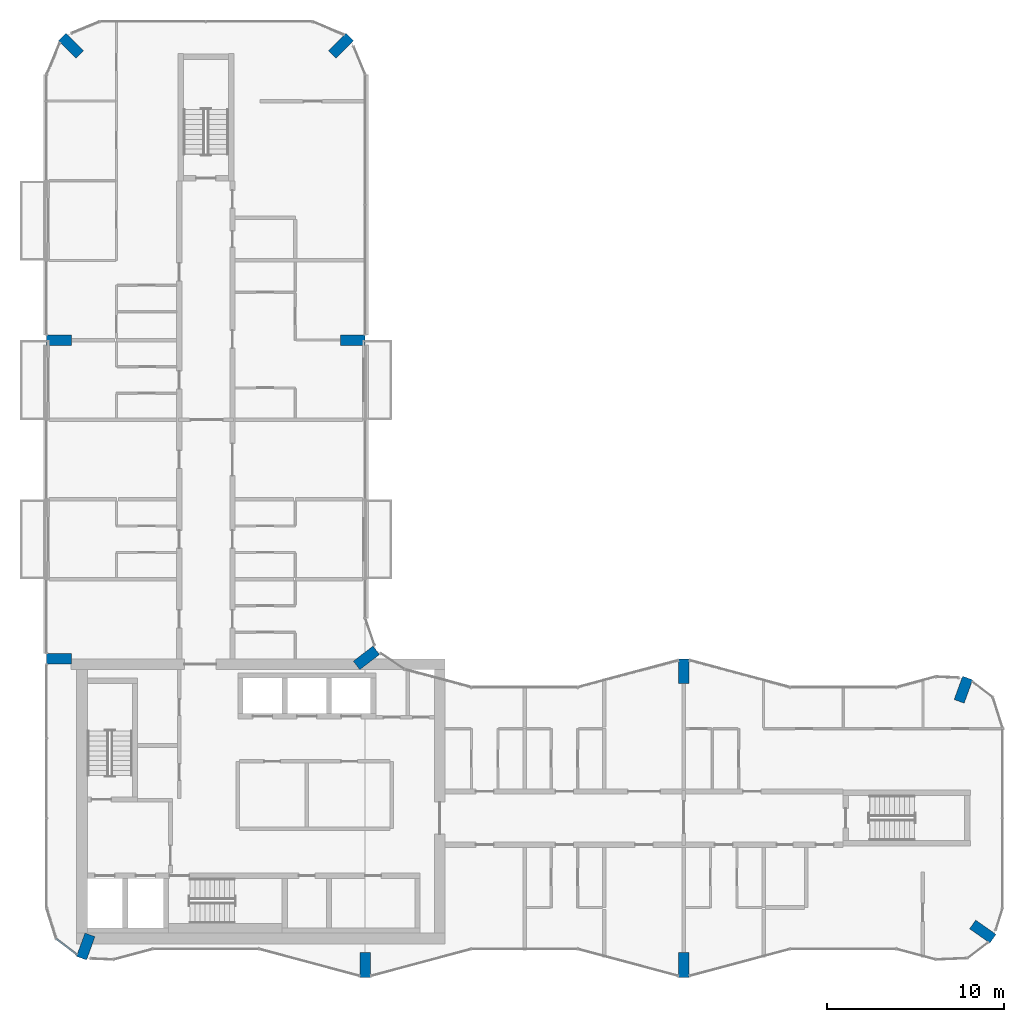
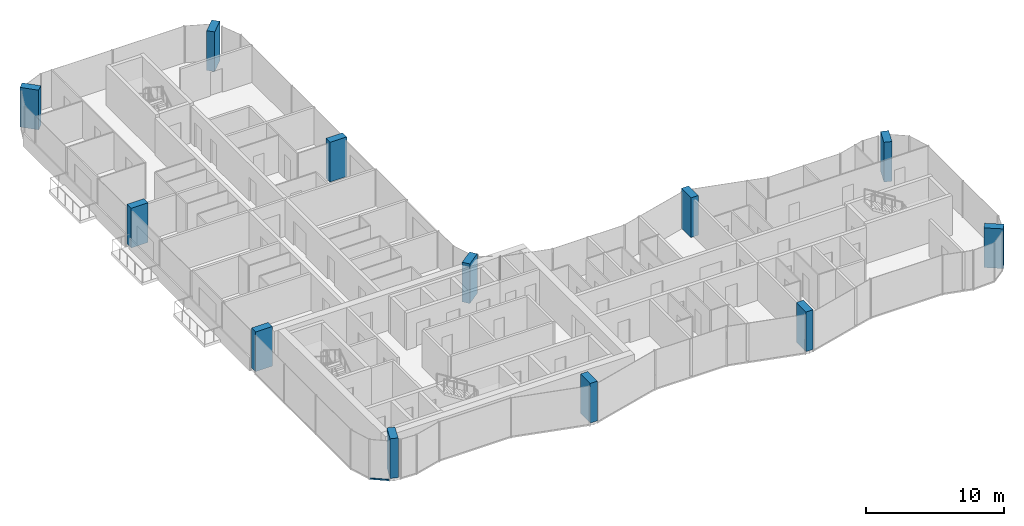
# One storey, part 1 of 16: 12 columns, 1 member, 1 element without a shape of its own.
"""IFC4 building model written with IfcOpenShell, lengths in metres."""

from ifc_helpers import new_model, si_unit, direction, frame, origin, origin_2d, place, context, subcontext, project, spatial, rectangle, extrude, material, layer, layer_set, material_profile, profile_set, type_object, element, aggregate, save


model = new_model("IFC4")

# Units and contexts
model_context = context("Model", 3, precision=1e-05, world=origin(), true_north=direction((0.0, 1.0)))
body_context = subcontext(model_context, "Body", "Model", "MODEL_VIEW")
ifc_project = project(units=[si_unit("LENGTHUNIT", "METRE"), si_unit("AREAUNIT", "SQUARE_METRE"), si_unit("VOLUMEUNIT", "CUBIC_METRE"), si_unit("PLANEANGLEUNIT", "RADIAN"), si_unit("MASSUNIT", "GRAM", prefix="KILO")], contexts=[model_context])

# Site, building, storey
site_placement = place(None, origin())
site = spatial("IfcSite", under=ifc_project, at=site_placement, CompositionType="ELEMENT")
building_placement = place(site_placement, origin())
building = spatial("IfcBuilding", under=site, at=building_placement, Name="Plateau Cross Towers", CompositionType="ELEMENT")
storey_placement = place(building_placement, frame((0.0, 0.0, 160.39990234375)))
storey = spatial("IfcBuildingStorey", under=building, at=storey_placement, Name="L41", CompositionType="ELEMENT", Elevation=160.39990234375)

# Columns
ifc_material_1 = material(Name="Concrete C60/75", Category="concrete")
ifc_material_profile_1 = material_profile(ifc_material_1, rectangle(XDim=0.60009765625, YDim=1.39990234375, at=origin_2d()), Name="RC 600x1400")
ifc_profile_set_1 = profile_set([ifc_material_profile_1], Name="Concrete C60/75")
column_type = type_object("IfcColumnType", Name="Fin pier column RC 600x1400", PredefinedType="COLUMN", material=ifc_profile_set_1)
for number, where, z_axis, x_axis, name in (
    (1, (18.0, 0.699951171875, 0.0), (0.0, 0.0, 1.0), (1.0, 0.0, 0.0), "PR1 L41"),
    (2, (36.0, 0.699951171875, 0.0), (0.0, 0.0, 1.0), (1.0, 0.0, 0.0), "PR2 L41"),
    (3, (52.884033203125, 2.590087890625, 0.0), (0.0, 0.0, 1.0), (0.573542637991, 0.819175709117, 0.0), "PR3 L41"),
    (4, (51.786865234375, 16.251953125, 0.0), (0.0, 0.0, 1.0), (-0.939664280925, 0.342097996418, 0.0), "PR4 L41"),
    (5, (36.0, 17.300048828125, 0.0), (0.0, 0.0, 1.0), (1.0, 0.0, 0.0), "PR5 L41"),
    (6, (18.064697265625, 18.049560546875, 0.0), (0.0, 0.0, 1.0), (-0.608810846443, 0.793315418515, 0.0), "PR6 L41"),
    (7, (17.300048828125, 36.0, 0.0), (0.0, 0.0, 1.0), (0.0, 1.0, 0.0), "PR7 L41"),
    (8, (16.62646484375, 52.62646484375, 0.0), (0.0, 0.0, 1.0), (-0.707106781187, 0.707106781187, 0.0), "PR8 L41"),
    (9, (1.37353515625, 52.62646484375, 0.0), (0.0, 0.0, 1.0), (0.707106781187, 0.707106781187, 0.0), "PR9 L41"),
    (10, (0.699951171875, 36.0, 0.0), (0.0, 0.0, 1.0), (0.0, 1.0, 0.0), "PR10 L41"),
    (11, (0.699951171875, 18.0, 0.0), (0.0, 0.0, 1.0), (0.0, 1.0, 0.0), "PR11 L41"),
    (12, (2.213134765625, 1.748046875, 0.0), (0.0, 0.0, 1.0), (-0.939664280925, 0.342097996418, 0.0), "PR12 L41"),
):
    element("IfcColumn", number, at=place(storey_placement, frame(where, z_axis=z_axis, x_axis=x_axis)), inside=storey, type_object=column_type, Name=name, PredefinedType="COLUMN", context=body_context, shape_type="SweptSolid", body=[
        extrude(rectangle(XDim=0.60009765625, YDim=1.39990234375, at=origin_2d()), origin(), (0.0, 0.0, 1.0), 3.5),
    ])

# Curtain wall, member
ifc_material_2 = material(Name="Dark low-iron glass", Category="glass")
ifc_layer = layer(ifc_material_2, 0.239990234375)
ifc_layer_set = layer_set([ifc_layer], Name="Dark low-iron glass")
curtain_wall_type = type_object("IfcCurtainWallType", Name="Curtain wall flush unitised CW-B", PredefinedType="NOTDEFINED", material=ifc_layer_set)
curtain_wall_placement = place(storey_placement, origin())
curtain_wall = element("IfcCurtainWall", 13, at=curtain_wall_placement, inside=storey, type_object=curtain_wall_type, Name="ENV/A/L41/A5_22", PredefinedType="NOTDEFINED")
ifc_material_3 = material(Name="Black anodised aluminium", Category="aluminium")
ifc_material_profile_2 = material_profile(ifc_material_3, rectangle(XDim=0.10009765625, YDim=0.1201171875, at=origin_2d()), Name="TRANSOM 100x120")
ifc_profile_set_2 = profile_set([ifc_material_profile_2], Name="Black anodised aluminium")
member_type = type_object("IfcMemberType", Name="Transom 100x120 flush unitised", PredefinedType="USERDEFINED", material=ifc_profile_set_2)
member_placement = place(storey_placement, frame((0.54248046875, 2.1884765625, -0.18994140625), z_axis=(0.793320508571, -0.608804213751, 0.0), x_axis=(0.608804213751, 0.793320508571, 0.0)))
member = element("IfcMember", 14, at=member_placement, type_object=member_type, Name="CW-B transom", ObjectType="TRANSOM", PredefinedType="USERDEFINED", context=body_context, shape_type="SweptSolid", body=[
    extrude(rectangle(XDim=0.10009765625, YDim=0.1201171875, at=origin_2d()), origin(), (0.0, 0.0, 1.0), 1.471435546875),
])
aggregate(curtain_wall, [member])

save(model, "model.ifc")
